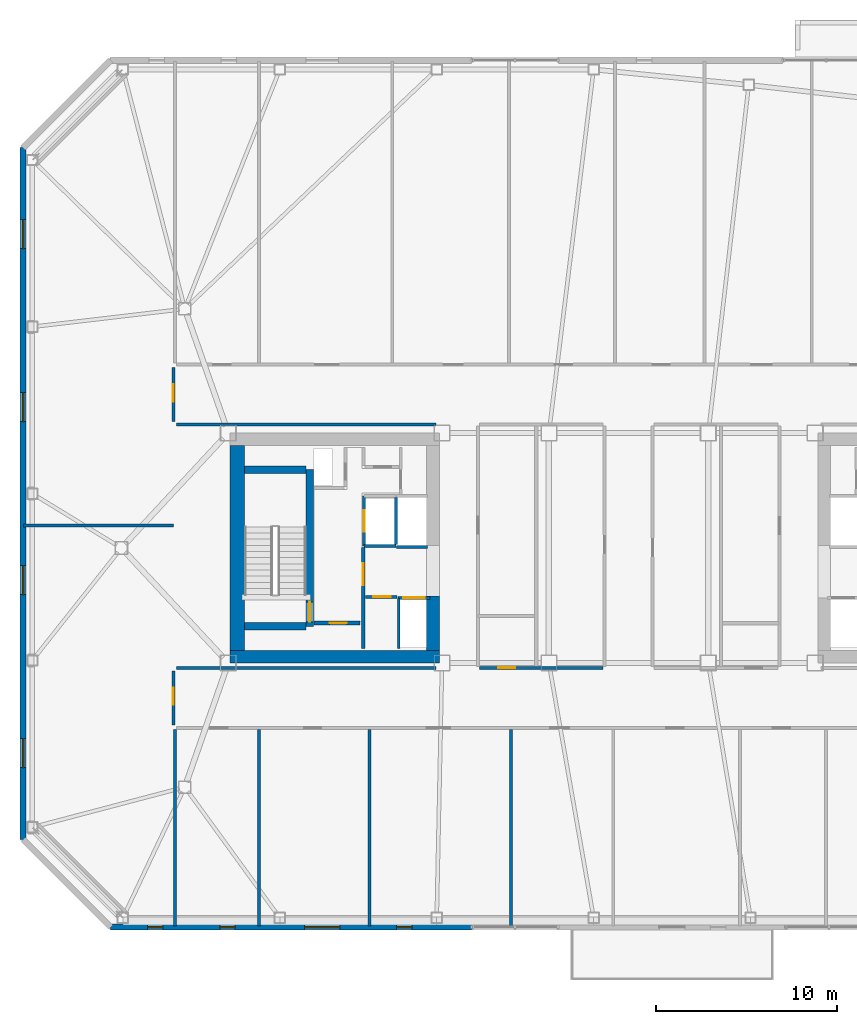
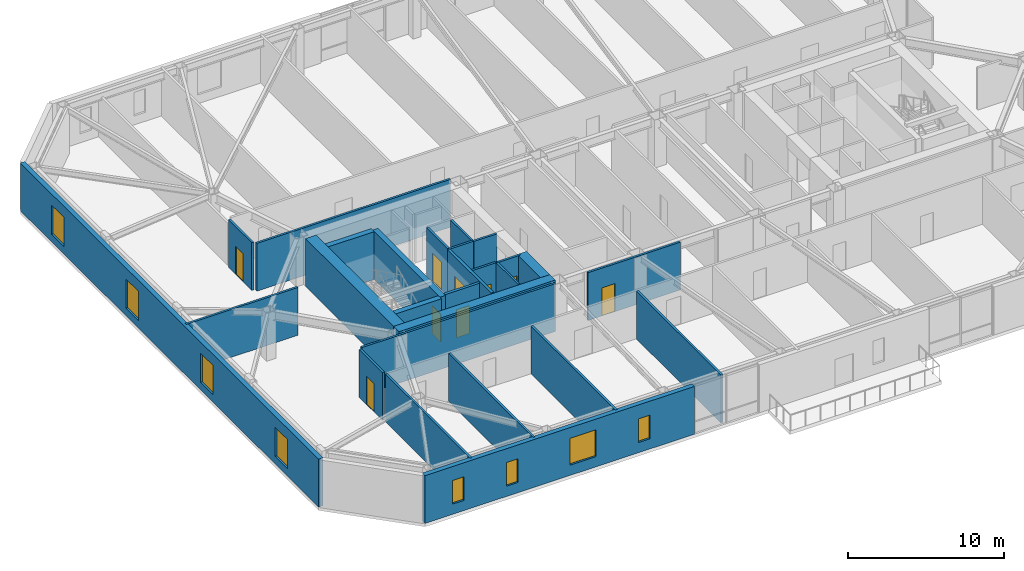
# One storey, part 10 of 19: 27 walls, 9 doors, 8 windows, 17 openings.
"""IFC4 building model written with IfcOpenShell, lengths in metres."""

from ifc_helpers import new_model, si_unit, direction, frame, frame_2d, origin, place, context, subcontext, project, spatial, rectangle, extrude, material, layer, layer_set, type_object, element, fill, save


model = new_model("IFC4")

# Units and contexts
model_context = context("Model", 3, precision=1e-05, world=origin(), true_north=direction((0.0, 1.0)))
body_context = subcontext(model_context, "Body", "Model", "MODEL_VIEW")
ifc_project = project(units=[si_unit("LENGTHUNIT", "METRE"), si_unit("AREAUNIT", "SQUARE_METRE"), si_unit("VOLUMEUNIT", "CUBIC_METRE"), si_unit("PLANEANGLEUNIT", "RADIAN"), si_unit("MASSUNIT", "GRAM", prefix="KILO")], contexts=[model_context])

# Site, building, storey
site_placement = place(None, origin())
site = spatial("IfcSite", under=ifc_project, at=site_placement, CompositionType="ELEMENT")
building_placement = place(site_placement, origin())
building = spatial("IfcBuilding", under=site, at=building_placement, Name="Tavrogorsk Clinical Tower", CompositionType="ELEMENT")
storey_placement = place(building_placement, frame((0.0, 0.0, 188.199951171875)))
storey = spatial("IfcBuildingStorey", under=building, at=storey_placement, Name="L43", CompositionType="ELEMENT", Elevation=188.199951171875)

# Wall, opening, door
ifc_material_1 = material(Name="Concrete B60", Category="concrete")
ifc_layer_1 = layer(ifc_material_1, 0.199951171875)
ifc_layer_set_1 = layer_set([ifc_layer_1], Name="Concrete B60")
wall_type_1 = type_object("IfcWallType", Name="CoreFireWall_200", PredefinedType="SOLIDWALL", material=ifc_layer_set_1)
wall_1_placement = place(storey_placement, frame((-17.3798828125, -4.139892578125, 0.0), z_axis=(0.0, 0.0, 1.0), x_axis=(1.0, 0.0, 0.0)))
wall_1 = element("IfcWall", 1, at=wall_1_placement, inside=storey, type_object=wall_type_1, Name="L43 Core West South Core Room Fire Wall", PredefinedType="SOLIDWALL", context=body_context, shape_type="SweptSolid", body=[
    extrude(rectangle(XDim=2.554931640625, YDim=0.199951171875, at=frame_2d((1.27734375, 0.0))), origin(), (0.0, 0.0, 1.0), 3.739990234375),
])
opening_1_placement = place(wall_1_placement, frame((0.8798828125, 0.0, 0.0)))
opening_1 = element("IfcOpeningElement", 2, at=opening_1_placement, cuts=wall_1, Name="Opening ID-02", PredefinedType="OPENING", context=body_context, shape_type="SweptSolid", body=[
    extrude(rectangle(XDim=0.949951171875, YDim=2.199951171875, at=frame_2d((0.47509765625, 1.10009765625))), frame((0.0, 0.10986328125, 0.0), z_axis=(0.0, -1.0, 0.0), x_axis=(1.0, 0.0, 0.0)), (0.0, 0.0, 1.0), 0.219970703125),
])
ifc_material_2 = material(Name="Laminated timber leaf on aluminium frame", Category="wood")
door_type_1 = type_object("IfcDoorType", Name="InteriorDoor_ID02_950", OperationType="NOTDEFINED", PredefinedType="DOOR", material=ifc_material_2)
door_1_placement = place(opening_1_placement, origin())
door_1 = element("IfcDoor", 3, at=door_1_placement, inside=storey, type_object=door_type_1, Name="L43 Core West South Core Room Door", OperationType="SINGLE_SWING_RIGHT", OverallHeight=2.199951171875, OverallWidth=0.949951171875, PredefinedType="DOOR", context=body_context, shape_type="SweptSolid", body=[
    extrude(rectangle(XDim=0.949951171875, YDim=2.199951171875, at=frame_2d((0.47509765625, 1.10009765625))), frame((0.0, 0.02490234375, 0.0), z_axis=(0.0, -1.0, 0.0), x_axis=(1.0, 0.0, 0.0)), (0.0, 0.0, 1.0), 0.050048828125),
])
fill(opening_1, door_1)

wall_2_placement = place(storey_placement, frame((-14.639892578125, -5.56005859375, 0.0), z_axis=(0.0, 0.0, 1.0), x_axis=(0.0, 1.0, 0.0)))
wall_2 = element("IfcWall", 4, at=wall_2_placement, inside=storey, type_object=wall_type_1, Name="L43 Core West Firefighting Lobby Fire Wall", PredefinedType="SOLIDWALL", context=body_context, shape_type="SweptSolid", body=[
    extrude(rectangle(XDim=5.60009765625, YDim=0.199951171875, at=frame_2d((2.800048828125, 0.0))), origin(), (0.0, 0.0, 1.0), 3.739990234375),
])
opening_2_placement = place(wall_2_placement, frame((3.510009765625, 0.0, 0.0)))
opening_2 = element("IfcOpeningElement", 5, at=opening_2_placement, cuts=wall_2, Name="Opening FD-01", PredefinedType="OPENING", context=body_context, shape_type="SweptSolid", body=[
    extrude(rectangle(XDim=1.199951171875, YDim=2.199951171875, at=frame_2d((0.60009765625, 1.10009765625))), frame((0.0, 0.10986328125, 0.0), z_axis=(0.0, -1.0, 0.0), x_axis=(1.0, 0.0, 0.0)), (0.0, 0.0, 1.0), 0.219970703125),
])
ifc_material_3 = material(Name="Galvanised steel fire-rated door assembly", Category="steel")
door_type_2 = type_object("IfcDoorType", Name="FireDoor_FD01_1200", OperationType="NOTDEFINED", PredefinedType="DOOR", material=ifc_material_3)
door_2_placement = place(opening_2_placement, origin())
door_2 = element("IfcDoor", 6, at=door_2_placement, inside=storey, type_object=door_type_2, Name="L43 Core West Firefighting Lobby Entry Door", OperationType="SINGLE_SWING_RIGHT", OverallHeight=2.199951171875, OverallWidth=1.199951171875, PredefinedType="DOOR", context=body_context, shape_type="SweptSolid", body=[
    extrude(rectangle(XDim=1.199951171875, YDim=2.199951171875, at=frame_2d((0.60009765625, 1.10009765625))), frame((0.0, 0.02490234375, 0.0), z_axis=(0.0, -1.0, 0.0), x_axis=(1.0, 0.0, 0.0)), (0.0, 0.0, 1.0), 0.050048828125),
])
fill(opening_2, door_2)

ifc_material_4 = material(Name="Lightweight concrete blockwork B15", Category="masonry")
ifc_layer_2 = layer(ifc_material_4, 0.159912109375)
ifc_layer_set_2 = layer_set([ifc_layer_2], Name="Lightweight concrete blockwork B15")
wall_type_2 = type_object("IfcWallType", Name="PartitionWall_160", PredefinedType="PARTITIONING", material=ifc_layer_set_2)
wall_3_placement = place(storey_placement, frame((-14.534912109375, -2.699951171875, 0.0), z_axis=(0.0, 0.0, 1.0), x_axis=(1.0, 0.0, 0.0)))
wall_3 = element("IfcWall", 7, at=wall_3_placement, inside=storey, type_object=wall_type_2, Name="L43 Core West Freed Low-Bank North Partition", PredefinedType="PARTITIONING", context=body_context, shape_type="SweptSolid", body=[
    extrude(rectangle(XDim=1.760009765625, YDim=0.159912109375, at=frame_2d((0.8798828125, 0.0))), origin(), (0.0, 0.0, 1.0), 3.739990234375),
])
opening_3_placement = place(wall_3_placement, frame((0.449951171875, 0.0, 0.0)))
opening_3 = element("IfcOpeningElement", 8, at=opening_3_placement, cuts=wall_3, Name="Opening ID-02", PredefinedType="OPENING", context=body_context, shape_type="SweptSolid", body=[
    extrude(rectangle(XDim=0.949951171875, YDim=2.199951171875, at=frame_2d((0.47509765625, 1.10009765625))), frame((0.0, 0.08984375, 0.0), z_axis=(0.0, -1.0, 0.0), x_axis=(1.0, 0.0, 0.0)), (0.0, 0.0, 1.0), 0.179931640625),
])
door_3_placement = place(opening_3_placement, origin())
door_3 = element("IfcDoor", 9, at=door_3_placement, inside=storey, type_object=door_type_1, Name="L43 Core West Biomedical Alcove Door", OperationType="SINGLE_SWING_LEFT", OverallHeight=2.199951171875, OverallWidth=0.949951171875, PredefinedType="DOOR", context=body_context, shape_type="SweptSolid", body=[
    extrude(rectangle(XDim=0.949951171875, YDim=2.199951171875, at=frame_2d((0.47509765625, 1.10009765625))), frame((0.0, 0.02490234375, 0.0), z_axis=(0.0, -1.0, 0.0), x_axis=(1.0, 0.0, 0.0)), (0.0, 0.0, 1.0), 0.050048828125),
])
fill(opening_3, door_3)

wall_4_placement = place(storey_placement, frame((-25.1298828125, -9.764892578125, 0.0), z_axis=(0.0, 0.0, 1.0), x_axis=(0.0, 1.0, 0.0)))
wall_4 = element("IfcWall", 10, at=wall_4_placement, inside=storey, type_object=wall_type_2, Name="L43 Corridor Partition 01", PredefinedType="PARTITIONING", context=body_context, shape_type="SweptSolid", body=[
    extrude(rectangle(XDim=2.97998046875, YDim=0.159912109375, at=frame_2d((1.489990234375, 0.0))), origin(), (0.0, 0.0, 1.0), 3.739990234375),
])
opening_4_placement = place(wall_4_placement, frame((1.10009765625, 0.0, 0.0)))
opening_4 = element("IfcOpeningElement", 11, at=opening_4_placement, cuts=wall_4, Name="Opening ID-02", PredefinedType="OPENING", context=body_context, shape_type="SweptSolid", body=[
    extrude(rectangle(XDim=0.949951171875, YDim=2.199951171875, at=frame_2d((0.47509765625, 1.10009765625))), frame((0.0, 0.08984375, 0.0), z_axis=(0.0, -1.0, 0.0), x_axis=(1.0, 0.0, 0.0)), (0.0, 0.0, 1.0), 0.179931640625),
])
door_4_placement = place(opening_4_placement, origin())
door_4 = element("IfcDoor", 12, at=door_4_placement, inside=storey, type_object=door_type_1, Name="L43 W Solarium Day Room & Lounge 1 Door", OperationType="SINGLE_SWING_RIGHT", OverallHeight=2.199951171875, OverallWidth=0.949951171875, PredefinedType="DOOR", context=body_context, shape_type="SweptSolid", body=[
    extrude(rectangle(XDim=0.949951171875, YDim=2.199951171875, at=frame_2d((0.47509765625, 1.10009765625))), frame((0.0, 0.02490234375, 0.0), z_axis=(0.0, -1.0, 0.0), x_axis=(1.0, 0.0, 0.0)), (0.0, 0.0, 1.0), 0.050048828125),
])
fill(opening_4, door_4)

# Walls
for number, where, z_axis, x_axis, name in (
    (13, (-24.965087890625, -6.6201171875, 0.0), (0.0, 0.0, 1.0), (1.0, 0.0, 0.0), "L43 Corridor Partition 02"),
    (14, (-10.6298828125, 6.820068359375, 0.0), (0.0, 0.0, 1.0), (-1.0, 0.0, 0.0), "L43 Corridor Partition 03"),
):
    element("IfcWall", number, at=place(storey_placement, frame(where, z_axis=z_axis, x_axis=x_axis)), inside=storey, type_object=wall_type_2, Name=name, PredefinedType="PARTITIONING", context=body_context, shape_type="SweptSolid", body=[
        extrude(rectangle(XDim=14.335205078125, YDim=0.159912109375, at=frame_2d((7.16748046875, 0.0))), origin(), (0.0, 0.0, 1.0), 3.739990234375),
    ])

# Wall, opening, door
wall_5_placement = place(storey_placement, frame((-25.1298828125, 6.985107421875, 0.0), z_axis=(0.0, 0.0, 1.0), x_axis=(0.0, 1.0, 0.0)))
wall_5 = element("IfcWall", 15, at=wall_5_placement, inside=storey, type_object=wall_type_2, Name="L43 Corridor Partition 04", PredefinedType="PARTITIONING", context=body_context, shape_type="SweptSolid", body=[
    extrude(rectangle(XDim=2.97998046875, YDim=0.159912109375, at=frame_2d((1.489990234375, 0.0))), origin(), (0.0, 0.0, 1.0), 3.739990234375),
])
opening_5_placement = place(wall_5_placement, frame((1.10009765625, 0.0, 0.0)))
opening_5 = element("IfcOpeningElement", 16, at=opening_5_placement, cuts=wall_5, Name="Opening ID-02", PredefinedType="OPENING", context=body_context, shape_type="SweptSolid", body=[
    extrude(rectangle(XDim=0.949951171875, YDim=2.199951171875, at=frame_2d((0.47509765625, 1.10009765625))), frame((0.0, 0.08984375, 0.0), z_axis=(0.0, -1.0, 0.0), x_axis=(1.0, 0.0, 0.0)), (0.0, 0.0, 1.0), 0.179931640625),
])
door_5_placement = place(opening_5_placement, origin())
door_5 = element("IfcDoor", 17, at=door_5_placement, inside=storey, type_object=door_type_1, Name="L43 W Rehabilitation Therapy Suite 2 Door", OperationType="SINGLE_SWING_LEFT", OverallHeight=2.199951171875, OverallWidth=0.949951171875, PredefinedType="DOOR", context=body_context, shape_type="SweptSolid", body=[
    extrude(rectangle(XDim=0.949951171875, YDim=2.199951171875, at=frame_2d((0.47509765625, 1.10009765625))), frame((0.0, 0.02490234375, 0.0), z_axis=(0.0, -1.0, 0.0), x_axis=(1.0, 0.0, 0.0)), (0.0, 0.0, 1.0), 0.050048828125),
])
fill(opening_5, door_5)

wall_6_placement = place(storey_placement, frame((-8.235107421875, -6.6201171875, 0.0), z_axis=(0.0, 0.0, 1.0), x_axis=(1.0, 0.0, 0.0)))
wall_6 = element("IfcWall", 18, at=wall_6_placement, inside=storey, type_object=wall_type_2, Name="L43 Corridor Partition 18", PredefinedType="PARTITIONING", context=body_context, shape_type="SweptSolid", body=[
    extrude(rectangle(XDim=6.820068359375, YDim=0.159912109375, at=frame_2d((3.41015625, 0.0))), origin(), (0.0, 0.0, 1.0), 3.739990234375),
])
opening_6_placement = place(wall_6_placement, frame((1.029052734375, 0.0, 0.0)))
opening_6 = element("IfcOpeningElement", 19, at=opening_6_placement, cuts=wall_6, Name="Opening ID-02", PredefinedType="OPENING", context=body_context, shape_type="SweptSolid", body=[
    extrude(rectangle(XDim=0.949951171875, YDim=2.199951171875, at=frame_2d((0.47509765625, 1.10009765625))), frame((0.0, 0.08984375, 0.0), z_axis=(0.0, -1.0, 0.0), x_axis=(1.0, 0.0, 0.0)), (0.0, 0.0, 1.0), 0.179931640625),
])
door_6_placement = place(opening_6_placement, origin())
door_6 = element("IfcDoor", 20, at=door_6_placement, inside=storey, type_object=door_type_1, Name="L43 Accessible Patient Lavatory Door", OperationType="SINGLE_SWING_RIGHT", OverallHeight=2.199951171875, OverallWidth=0.949951171875, PredefinedType="DOOR", context=body_context, shape_type="SweptSolid", body=[
    extrude(rectangle(XDim=0.949951171875, YDim=2.199951171875, at=frame_2d((0.47509765625, 1.10009765625))), frame((0.0, 0.02490234375, 0.0), z_axis=(0.0, -1.0, 0.0), x_axis=(1.0, 0.0, 0.0)), (0.0, 0.0, 1.0), 0.050048828125),
])
fill(opening_6, door_6)

# Walls
for number, where, z_axis, x_axis, name in (
    (21, (-25.050048828125, -20.860107421875, 0.0), (0.0, 0.0, 1.0), (0.0, 1.0, 0.0), "L43 SW Wing Closure Partition"),
    (22, (-20.39990234375, -20.860107421875, 0.0), (0.0, 0.0, 1.0), (0.0, 1.0, 0.0), "L43 South Room Partition 1"),
    (23, (-14.300048828125, -20.860107421875, 0.0), (0.0, 0.0, 1.0), (0.0, 1.0, 0.0), "L43 South Room Partition 2"),
    (24, (-6.5, -20.860107421875, 0.0), (0.0, 0.0, 1.0), (0.0, 1.0, 0.0), "L43 South Room Partition 3"),
):
    element("IfcWall", number, at=place(storey_placement, frame(where, z_axis=z_axis, x_axis=x_axis)), inside=storey, type_object=wall_type_2, Name=name, PredefinedType="PARTITIONING", context=body_context, shape_type="SweptSolid", body=[
        extrude(rectangle(XDim=10.84521484375, YDim=0.159912109375, at=frame_2d((5.422607421875, 0.0))), origin(), (0.0, 0.0, 1.0), 3.739990234375),
    ])
wall_7_placement = place(storey_placement, frame((-33.409912109375, 1.25, 0.0), z_axis=(0.0, 0.0, 1.0), x_axis=(1.0, 0.0, 0.0)))
element("IfcWall", 25, at=wall_7_placement, inside=storey, type_object=wall_type_2, Name="L43 W Wing Divider 1", PredefinedType="PARTITIONING", context=body_context, shape_type="SweptSolid", body=[
    extrude(rectangle(XDim=8.280029296875, YDim=0.159912109375, at=frame_2d((4.14013671875, 0.0))), origin(), (0.0, 0.0, 1.0), 3.739990234375),
])

# Wall, openings, windows
ifc_material_5 = material(Name="Precast concrete B45 with limestone cladding", Category="masonry")
ifc_layer_3 = layer(ifc_material_5, 0.340087890625)
ifc_layer_set_3 = layer_set([ifc_layer_3], Name="Precast concrete B45 with limestone cladding")
wall_type_3 = type_object("IfcWallType", Name="PrecastLimestoneWall_340", PredefinedType="STANDARD", material=ifc_layer_set_3)
wall_8_placement = place(storey_placement, frame((-28.60009765625, -20.929931640625, 0.0), z_axis=(0.0, 0.0, 1.0), x_axis=(1.0, 0.0, 0.0)))
wall_8 = element("IfcWall", 26, at=wall_8_placement, inside=storey, type_object=wall_type_3, Name="L43 S Limestone Facade Wall 1", PredefinedType="STANDARD", context=body_context, shape_type="SweptSolid", body=[
    extrude(rectangle(XDim=19.937255859375, YDim=0.340087890625, at=frame_2d((9.96875, 0.0))), origin(), (0.0, 0.0, 1.0), 3.739990234375),
])
opening_7_placement = place(wall_8_placement, frame((2.0439453125, 0.0, 0.800048828125)))
opening_7 = element("IfcOpeningElement", 27, at=opening_7_placement, cuts=wall_8, Name="Opening WN-06", PredefinedType="OPENING", context=body_context, shape_type="SweptSolid", body=[
    extrude(rectangle(XDim=0.85009765625, YDim=1.85009765625, at=frame_2d((0.425048828125, 0.925048828125))), frame((0.0, 0.179931640625, 0.0), z_axis=(0.0, -1.0, 0.0), x_axis=(1.0, 0.0, 0.0)), (0.0, 0.0, 1.0), 0.360107421875),
])
opening_8_placement = place(wall_8_placement, frame((6.02880859375, 0.0, 0.800048828125)))
opening_8 = element("IfcOpeningElement", 28, at=opening_8_placement, cuts=wall_8, Name="Opening WN-06", PredefinedType="OPENING", context=body_context, shape_type="SweptSolid", body=[
    extrude(rectangle(XDim=0.85009765625, YDim=1.85009765625, at=frame_2d((0.425048828125, 0.925048828125))), frame((0.0, 0.179931640625, 0.0), z_axis=(0.0, -1.0, 0.0), x_axis=(1.0, 0.0, 0.0)), (0.0, 0.0, 1.0), 0.360107421875),
])
opening_9_placement = place(wall_8_placement, frame((10.706787109375, 0.0, 0.800048828125)))
opening_9 = element("IfcOpeningElement", 29, at=opening_9_placement, cuts=wall_8, Name="Opening WN-13", PredefinedType="OPENING", context=body_context, shape_type="SweptSolid", body=[
    extrude(rectangle(XDim=1.949951171875, YDim=2.10009765625, at=frame_2d((0.97509765625, 1.050048828125))), frame((0.0, 0.179931640625, 0.0), z_axis=(0.0, -1.0, 0.0), x_axis=(1.0, 0.0, 0.0)), (0.0, 0.0, 1.0), 0.360107421875),
])
opening_10_placement = place(wall_8_placement, frame((15.791748046875, 0.0, 0.800048828125)))
opening_10 = element("IfcOpeningElement", 30, at=opening_10_placement, cuts=wall_8, Name="Opening WN-06", PredefinedType="OPENING", context=body_context, shape_type="SweptSolid", body=[
    extrude(rectangle(XDim=0.85009765625, YDim=1.85009765625, at=frame_2d((0.425048828125, 0.925048828125))), frame((0.0, 0.179931640625, 0.0), z_axis=(0.0, -1.0, 0.0), x_axis=(1.0, 0.0, 0.0)), (0.0, 0.0, 1.0), 0.360107421875),
])
ifc_material_6 = material(Name="Thermally broken aluminium frame and triple IGU", Category="aluminium")
window_type_1 = type_object("IfcWindowType", Name="ExamRoomWin_1950x2100", PartitioningType="DOUBLE_PANEL_VERTICAL", PredefinedType="WINDOW", material=ifc_material_6)
window_1_placement = place(opening_9_placement, origin())
window_1 = element("IfcWindow", 31, at=window_1_placement, inside=storey, type_object=window_type_1, Name="L43 S Chicago Window 03", OverallHeight=2.10009765625, OverallWidth=1.949951171875, PartitioningType="SINGLE_PANEL", PredefinedType="WINDOW", context=body_context, shape_type="SweptSolid", body=[
    extrude(rectangle(XDim=1.949951171875, YDim=2.10009765625, at=frame_2d((0.97509765625, 1.050048828125))), frame((0.0, 0.030029296875, 0.0), z_axis=(0.0, -1.0, 0.0), x_axis=(1.0, 0.0, 0.0)), (0.0, 0.0, 1.0), 0.06005859375),
])
fill(opening_9, window_1)
ifc_material_7 = material(Name="Thermally broken aluminium frame and triple IGU", Category="aluminium")
window_type_2 = type_object("IfcWindowType", Name="MullionSubWin_850x1850", PartitioningType="SINGLE_PANEL", PredefinedType="WINDOW", material=ifc_material_7)
window_2_placement = place(opening_7_placement, origin())
window_2 = element("IfcWindow", 32, at=window_2_placement, inside=storey, type_object=window_type_2, Name="L43 S Mullion Split Window 01A", OverallHeight=1.85009765625, OverallWidth=0.85009765625, PartitioningType="SINGLE_PANEL", PredefinedType="WINDOW", context=body_context, shape_type="SweptSolid", body=[
    extrude(rectangle(XDim=0.85009765625, YDim=1.85009765625, at=frame_2d((0.425048828125, 0.925048828125))), frame((0.0, 0.030029296875, 0.0), z_axis=(0.0, -1.0, 0.0), x_axis=(1.0, 0.0, 0.0)), (0.0, 0.0, 1.0), 0.06005859375),
])
fill(opening_7, window_2)
window_3_placement = place(opening_8_placement, origin())
window_3 = element("IfcWindow", 33, at=window_3_placement, inside=storey, type_object=window_type_2, Name="L43 S Mullion Split Window 02A", OverallHeight=1.85009765625, OverallWidth=0.85009765625, PartitioningType="SINGLE_PANEL", PredefinedType="WINDOW", context=body_context, shape_type="SweptSolid", body=[
    extrude(rectangle(XDim=0.85009765625, YDim=1.85009765625, at=frame_2d((0.425048828125, 0.925048828125))), frame((0.0, 0.030029296875, 0.0), z_axis=(0.0, -1.0, 0.0), x_axis=(1.0, 0.0, 0.0)), (0.0, 0.0, 1.0), 0.06005859375),
])
fill(opening_8, window_3)
window_4_placement = place(opening_10_placement, origin())
window_4 = element("IfcWindow", 34, at=window_4_placement, inside=storey, type_object=window_type_2, Name="L43 S Mullion Split Window 04B", OverallHeight=1.85009765625, OverallWidth=0.85009765625, PartitioningType="SINGLE_PANEL", PredefinedType="WINDOW", context=body_context, shape_type="SweptSolid", body=[
    extrude(rectangle(XDim=0.85009765625, YDim=1.85009765625, at=frame_2d((0.425048828125, 0.925048828125))), frame((0.0, 0.030029296875, 0.0), z_axis=(0.0, -1.0, 0.0), x_axis=(1.0, 0.0, 0.0)), (0.0, 0.0, 1.0), 0.06005859375),
])
fill(opening_10, window_4)

wall_9_placement = place(storey_placement, frame((-33.429931640625, 22.10009765625, 0.0), z_axis=(0.0, 0.0, 1.0), x_axis=(0.0, -1.0, 0.0)))
wall_9 = element("IfcWall", 35, at=wall_9_placement, inside=storey, type_object=wall_type_3, Name="L43 W Pleated Limestone Wing Wall", PredefinedType="STANDARD", context=body_context, shape_type="SweptSolid", body=[
    extrude(rectangle(XDim=38.2001953125, YDim=0.340087890625, at=frame_2d((19.10009765625, 0.0))), origin(), (0.0, 0.0, 1.0), 3.739990234375),
])
opening_11_placement = place(wall_9_placement, frame((3.97509765625, 0.0, 0.580078125)))
opening_11 = element("IfcOpeningElement", 36, at=opening_11_placement, cuts=wall_9, Name="Opening WN-07", PredefinedType="OPENING", context=body_context, shape_type="SweptSolid", body=[
    extrude(rectangle(XDim=1.60009765625, YDim=2.300048828125, at=frame_2d((0.800048828125, 1.14990234375))), frame((0.0, 0.179931640625, 0.0), z_axis=(0.0, -1.0, 0.0), x_axis=(1.0, 0.0, 0.0)), (0.0, 0.0, 1.0), 0.360107421875),
])
opening_12_placement = place(wall_9_placement, frame((13.52490234375, 0.0, 0.580078125)))
opening_12 = element("IfcOpeningElement", 37, at=opening_12_placement, cuts=wall_9, Name="Opening WN-07", PredefinedType="OPENING", context=body_context, shape_type="SweptSolid", body=[
    extrude(rectangle(XDim=1.60009765625, YDim=2.300048828125, at=frame_2d((0.800048828125, 1.14990234375))), frame((0.0, 0.179931640625, 0.0), z_axis=(0.0, -1.0, 0.0), x_axis=(1.0, 0.0, 0.0)), (0.0, 0.0, 1.0), 0.360107421875),
])
opening_13_placement = place(wall_9_placement, frame((23.074951171875, 0.0, 0.580078125)))
opening_13 = element("IfcOpeningElement", 38, at=opening_13_placement, cuts=wall_9, Name="Opening WN-07", PredefinedType="OPENING", context=body_context, shape_type="SweptSolid", body=[
    extrude(rectangle(XDim=1.60009765625, YDim=2.300048828125, at=frame_2d((0.800048828125, 1.14990234375))), frame((0.0, 0.179931640625, 0.0), z_axis=(0.0, -1.0, 0.0), x_axis=(1.0, 0.0, 0.0)), (0.0, 0.0, 1.0), 0.360107421875),
])
opening_14_placement = place(wall_9_placement, frame((32.625, 0.0, 0.580078125)))
opening_14 = element("IfcOpeningElement", 39, at=opening_14_placement, cuts=wall_9, Name="Opening WN-07", PredefinedType="OPENING", context=body_context, shape_type="SweptSolid", body=[
    extrude(rectangle(XDim=1.60009765625, YDim=2.300048828125, at=frame_2d((0.800048828125, 1.14990234375))), frame((0.0, 0.179931640625, 0.0), z_axis=(0.0, -1.0, 0.0), x_axis=(1.0, 0.0, 0.0)), (0.0, 0.0, 1.0), 0.360107421875),
])
ifc_material_8 = material(Name="Thermally broken aluminium frame and triple IGU", Category="aluminium")
window_type_3 = type_object("IfcWindowType", Name="PleatSlotWin_1600x2300", PartitioningType="SINGLE_PANEL", PredefinedType="WINDOW", material=ifc_material_8)
window_5_placement = place(opening_11_placement, origin())
window_5 = element("IfcWindow", 40, at=window_5_placement, inside=storey, type_object=window_type_3, Name="L43 W Pleat Slot Window 1", OverallHeight=2.300048828125, OverallWidth=1.60009765625, PartitioningType="SINGLE_PANEL", PredefinedType="WINDOW", context=body_context, shape_type="SweptSolid", body=[
    extrude(rectangle(XDim=1.60009765625, YDim=2.300048828125, at=frame_2d((0.800048828125, 1.14990234375))), frame((0.0, 0.030029296875, 0.0), z_axis=(0.0, -1.0, 0.0), x_axis=(1.0, 0.0, 0.0)), (0.0, 0.0, 1.0), 0.06005859375),
])
fill(opening_11, window_5)
window_6_placement = place(opening_12_placement, origin())
window_6 = element("IfcWindow", 41, at=window_6_placement, inside=storey, type_object=window_type_3, Name="L43 W Pleat Slot Window 2", OverallHeight=2.300048828125, OverallWidth=1.60009765625, PartitioningType="SINGLE_PANEL", PredefinedType="WINDOW", context=body_context, shape_type="SweptSolid", body=[
    extrude(rectangle(XDim=1.60009765625, YDim=2.300048828125, at=frame_2d((0.800048828125, 1.14990234375))), frame((0.0, 0.030029296875, 0.0), z_axis=(0.0, -1.0, 0.0), x_axis=(1.0, 0.0, 0.0)), (0.0, 0.0, 1.0), 0.06005859375),
])
fill(opening_12, window_6)
window_7_placement = place(opening_13_placement, origin())
window_7 = element("IfcWindow", 42, at=window_7_placement, inside=storey, type_object=window_type_3, Name="L43 W Pleat Slot Window 3", OverallHeight=2.300048828125, OverallWidth=1.60009765625, PartitioningType="SINGLE_PANEL", PredefinedType="WINDOW", context=body_context, shape_type="SweptSolid", body=[
    extrude(rectangle(XDim=1.60009765625, YDim=2.300048828125, at=frame_2d((0.800048828125, 1.14990234375))), frame((0.0, 0.030029296875, 0.0), z_axis=(0.0, -1.0, 0.0), x_axis=(1.0, 0.0, 0.0)), (0.0, 0.0, 1.0), 0.06005859375),
])
fill(opening_13, window_7)
window_8_placement = place(opening_14_placement, origin())
window_8 = element("IfcWindow", 43, at=window_8_placement, inside=storey, type_object=window_type_3, Name="L43 W Pleat Slot Window 4", OverallHeight=2.300048828125, OverallWidth=1.60009765625, PartitioningType="SINGLE_PANEL", PredefinedType="WINDOW", context=body_context, shape_type="SweptSolid", body=[
    extrude(rectangle(XDim=1.60009765625, YDim=2.300048828125, at=frame_2d((0.800048828125, 1.14990234375))), frame((0.0, 0.030029296875, 0.0), z_axis=(0.0, -1.0, 0.0), x_axis=(1.0, 0.0, 0.0)), (0.0, 0.0, 1.0), 0.06005859375),
])
fill(opening_14, window_8)

# Wall, opening, door
ifc_material_9 = material(Name="Lightweight concrete blockwork B25", Category="masonry")
ifc_layer_4 = layer(ifc_material_9, 0.159912109375)
ifc_layer_set_4 = layer_set([ifc_layer_4], Name="Lightweight concrete blockwork B25")
wall_type_4 = type_object("IfcWallType", Name="ShaftWall_160", PredefinedType="PARTITIONING", material=ifc_layer_set_4)
wall_10_placement = place(storey_placement, frame((-14.60009765625, 0.1201171875, 0.0), z_axis=(0.0, 0.0, 1.0), x_axis=(0.0, 1.0, 0.0)))
wall_10 = element("IfcWall", 44, at=wall_10_placement, inside=storey, type_object=wall_type_4, Name="L43 FFL-W Firefighting Lift Front Wall", PredefinedType="PARTITIONING", context=body_context, shape_type="SweptSolid", body=[
    extrude(rectangle(XDim=2.739990234375, YDim=0.159912109375, at=frame_2d((1.3701171875, 0.0))), origin(), (0.0, 0.0, 1.0), 3.739990234375),
])
opening_15_placement = place(wall_10_placement, frame((0.77001953125, 0.0, 0.0)))
opening_15 = element("IfcOpeningElement", 45, at=opening_15_placement, cuts=wall_10, Name="Opening LD", PredefinedType="OPENING", context=body_context, shape_type="SweptSolid", body=[
    extrude(rectangle(XDim=1.199951171875, YDim=2.199951171875, at=frame_2d((0.60009765625, 1.10009765625))), frame((0.0, 0.08984375, 0.0), z_axis=(0.0, -1.0, 0.0), x_axis=(1.0, 0.0, 0.0)), (0.0, 0.0, 1.0), 0.179931640625),
])
ifc_material_10 = material(Name="Brushed stainless steel AISI 304 sliding doors", Category="steel")
door_type_3 = type_object("IfcDoorType", Name="LiftLandingDoor_LD_1200", OperationType="SLIDING_TO_LEFT", PredefinedType="DOOR", material=ifc_material_10)
door_7_placement = place(opening_15_placement, origin())
door_7 = element("IfcDoor", 46, at=door_7_placement, inside=storey, type_object=door_type_3, Name="L43 FFL-W Sliding Lift Landing Door", OperationType="SLIDING_TO_LEFT", OverallHeight=2.199951171875, OverallWidth=1.199951171875, PredefinedType="DOOR", context=body_context, shape_type="SweptSolid", body=[
    extrude(rectangle(XDim=1.199951171875, YDim=2.199951171875, at=frame_2d((0.60009765625, 1.10009765625))), frame((0.0, 0.02490234375, 0.0), z_axis=(0.0, -1.0, 0.0), x_axis=(1.0, 0.0, 0.0)), (0.0, 0.0, 1.0), 0.050048828125),
])
fill(opening_15, door_7)

# Walls
wall_11_placement = place(storey_placement, frame((-14.60009765625, 0.10009765625, 0.0), z_axis=(0.0, 0.0, 1.0), x_axis=(1.0, 0.0, 0.0)))
element("IfcWall", 47, at=wall_11_placement, inside=storey, type_object=wall_type_4, Name="L43 FFL-W Shaft South Wall", PredefinedType="PARTITIONING", context=body_context, shape_type="SweptSolid", body=[
    extrude(rectangle(XDim=1.760009765625, YDim=0.159912109375, at=frame_2d((0.8798828125, 0.0))), origin(), (0.0, 0.0, 1.0), 3.739990234375),
])
wall_12_placement = place(storey_placement, frame((-12.840087890625, 0.179931640625, 0.0), z_axis=(0.0, 0.0, 1.0), x_axis=(0.0, 1.0, 0.0)))
element("IfcWall", 48, at=wall_12_placement, inside=storey, type_object=wall_type_4, Name="L43 FFL-W Shaft Back Wall", PredefinedType="PARTITIONING", context=body_context, shape_type="SweptSolid", body=[
    extrude(rectangle(XDim=2.6201171875, YDim=0.159912109375, at=frame_2d((1.31005859375, 0.0))), origin(), (0.0, 0.0, 1.0), 3.739990234375),
])

# Wall, opening, door
wall_13_placement = place(storey_placement, frame((-12.72998046875, -2.75, 0.0), z_axis=(0.0, 0.0, 1.0), x_axis=(1.0, 0.0, 0.0)))
wall_13 = element("IfcWall", 49, at=wall_13_placement, inside=storey, type_object=wall_type_4, Name="L43 LP-M1 Lift Shaft Portal Wall", PredefinedType="PARTITIONING", context=body_context, shape_type="SweptSolid", body=[
    extrude(rectangle(XDim=1.760009765625, YDim=0.159912109375, at=frame_2d((0.8798828125, 0.0))), origin(), (0.0, 0.0, 1.0), 3.739990234375),
])
opening_16_placement = place(wall_13_placement, frame((0.280029296875, 0.0, 0.0)))
opening_16 = element("IfcOpeningElement", 50, at=opening_16_placement, cuts=wall_13, Name="Opening LD", PredefinedType="OPENING", context=body_context, shape_type="SweptSolid", body=[
    extrude(rectangle(XDim=1.199951171875, YDim=2.199951171875, at=frame_2d((0.60009765625, 1.10009765625))), frame((0.0, 0.08984375, 0.0), z_axis=(0.0, -1.0, 0.0), x_axis=(1.0, 0.0, 0.0)), (0.0, 0.0, 1.0), 0.179931640625),
])
door_8_placement = place(opening_16_placement, origin())
door_8 = element("IfcDoor", 51, at=door_8_placement, inside=storey, type_object=door_type_3, Name="L43 LP-M1 Sliding Lift Landing Door", OperationType="SLIDING_TO_LEFT", OverallHeight=2.199951171875, OverallWidth=1.199951171875, PredefinedType="DOOR", context=body_context, shape_type="SweptSolid", body=[
    extrude(rectangle(XDim=1.199951171875, YDim=2.199951171875, at=frame_2d((0.60009765625, 1.10009765625))), frame((0.0, 0.02490234375, 0.0), z_axis=(0.0, -1.0, 0.0), x_axis=(1.0, 0.0, 0.0)), (0.0, 0.0, 1.0), 0.050048828125),
])
fill(opening_16, door_8)

# Walls
wall_14_placement = place(storey_placement, frame((-12.820068359375, 0.06005859375, 0.0), z_axis=(0.0, 0.0, 1.0), x_axis=(1.0, 0.0, 0.0)))
element("IfcWall", 52, at=wall_14_placement, inside=storey, type_object=wall_type_4, Name="L43 LP-H1 High-Zone Lift Portal Wall", PredefinedType="PARTITIONING", context=body_context, shape_type="SweptSolid", body=[
    extrude(rectangle(XDim=1.719970703125, YDim=0.159912109375, at=frame_2d((0.85986328125, 0.0))), origin(), (0.0, 0.0, 1.0), 3.739990234375),
])
wall_15_placement = place(storey_placement, frame((-12.68994140625, -5.56005859375, 0.0), z_axis=(0.0, 0.0, 1.0), x_axis=(0.0, 1.0, 0.0)))
element("IfcWall", 53, at=wall_15_placement, inside=storey, type_object=wall_type_4, Name="L43 Core West Freed Low-Bank Shaft Divider", PredefinedType="PARTITIONING", context=body_context, shape_type="SweptSolid", body=[
    extrude(rectangle(XDim=2.775146484375, YDim=0.159912109375, at=frame_2d((1.3876953125, 0.0))), origin(), (0.0, 0.0, 1.0), 3.739990234375),
])

# Wall, opening, door
ifc_material_11 = material(Name="Concrete B80", Category="concrete")
ifc_layer_5 = layer(ifc_material_11, 0.39990234375)
ifc_layer_set_5 = layer_set([ifc_layer_5], Name="Concrete B80")
wall_type_5 = type_object("IfcWallType", Name="ShearWall_400", PredefinedType="SHEAR", material=ifc_layer_set_5)
wall_16_placement = place(storey_placement, frame((-17.60009765625, -4.324951171875, 0.0), z_axis=(0.0, 0.0, 1.0), x_axis=(0.0, 1.0, 0.0)))
wall_16 = element("IfcWall", 54, at=wall_16_placement, inside=storey, type_object=wall_type_5, Name="L43 Core West Stair Shaft Inner Shear Wall", PredefinedType="SHEAR", context=body_context, shape_type="SweptSolid", body=[
    extrude(rectangle(XDim=8.64990234375, YDim=0.39990234375, at=frame_2d((4.324951171875, 0.0))), origin(), (0.0, 0.0, 1.0), 3.739990234375),
])
opening_17_placement = place(wall_16_placement, frame((0.25, 0.0, 0.0)))
opening_17 = element("IfcOpeningElement", 55, at=opening_17_placement, cuts=wall_16, Name="Opening SD-01", PredefinedType="OPENING", context=body_context, shape_type="SweptSolid", body=[
    extrude(rectangle(XDim=1.10009765625, YDim=2.199951171875, at=frame_2d((0.550048828125, 1.10009765625))), frame((0.0, 0.2099609375, 0.0), z_axis=(0.0, -1.0, 0.0), x_axis=(1.0, 0.0, 0.0)), (0.0, 0.0, 1.0), 0.419921875),
])
ifc_material_12 = material(Name="Galvanised steel smoke-tight fire door assembly", Category="steel")
door_type_4 = type_object("IfcDoorType", Name="StairFireDoor_SD01_1100", OperationType="NOTDEFINED", PredefinedType="DOOR", material=ifc_material_12)
door_9_placement = place(opening_17_placement, origin())
door_9 = element("IfcDoor", 56, at=door_9_placement, inside=storey, type_object=door_type_4, Name="L43 ST-W Exit Stair Door", OperationType="SINGLE_SWING_RIGHT", OverallHeight=2.199951171875, OverallWidth=1.10009765625, PredefinedType="DOOR", context=body_context, shape_type="SweptSolid", body=[
    extrude(rectangle(XDim=1.10009765625, YDim=2.199951171875, at=frame_2d((0.550048828125, 1.10009765625))), frame((0.0, 0.02490234375, 0.0), z_axis=(0.0, -1.0, 0.0), x_axis=(1.0, 0.0, 0.0)), (0.0, 0.0, 1.0), 0.050048828125),
])
fill(opening_17, door_9)

# Walls
for number, where, z_axis, x_axis, name in (
    (57, (-21.199951171875, -4.324951171875, 0.0), (0.0, 0.0, 1.0), (1.0, 0.0, 0.0), "L43 Core West Stair Shaft South Shear Wall"),
    (58, (-21.199951171875, 4.324951171875, 0.0), (0.0, 0.0, 1.0), (1.0, 0.0, 0.0), "L43 Core West Stair Shaft North Shear Wall"),
):
    element("IfcWall", number, at=place(storey_placement, frame(where, z_axis=z_axis, x_axis=x_axis)), inside=storey, type_object=wall_type_5, Name=name, PredefinedType="SHEAR", context=body_context, shape_type="SweptSolid", body=[
        extrude(rectangle(XDim=3.39990234375, YDim=0.39990234375, at=frame_2d((1.699951171875, 0.0))), origin(), (0.0, 0.0, 1.0), 3.739990234375),
    ])
ifc_material_13 = material(Name="Concrete B80", Category="concrete")
ifc_layer_6 = layer(ifc_material_13, 0.699951171875)
ifc_layer_set_6 = layer_set([ifc_layer_6], Name="Concrete B80")
wall_type_6 = type_object("IfcWallType", Name="ShearWall_700", PredefinedType="SHEAR", material=ifc_layer_set_6)
wall_17_placement = place(storey_placement, frame((-22.0, -6.0, 0.0), z_axis=(0.0, 0.0, 1.0), x_axis=(1.0, 0.0, 0.0)))
element("IfcWall", 59, at=wall_17_placement, inside=storey, type_object=wall_type_6, Name="L43 Core West South Shear Wall", PredefinedType="SHEAR", context=body_context, shape_type="SweptSolid", body=[
    extrude(rectangle(XDim=11.550048828125, YDim=0.699951171875, at=frame_2d((5.77490234375, 0.0))), origin(), (0.0, 0.0, 1.0), 3.739990234375),
])
wall_18_placement = place(storey_placement, frame((-10.800048828125, -5.64990234375, 0.0), z_axis=(0.0, 0.0, 1.0), x_axis=(0.0, 1.0, 0.0)))
element("IfcWall", 60, at=wall_18_placement, inside=storey, type_object=wall_type_6, Name="L43 Core West Inner South Pier", PredefinedType="SHEAR", context=body_context, shape_type="SweptSolid", body=[
    extrude(rectangle(XDim=3.0, YDim=0.699951171875, at=frame_2d((1.5, 0.0))), origin(), (0.0, 0.0, 1.0), 3.739990234375),
])
ifc_material_14 = material(Name="Concrete B80", Category="concrete")
ifc_layer_7 = layer(ifc_material_14, 0.800048828125)
ifc_layer_set_7 = layer_set([ifc_layer_7], Name="Concrete B80")
wall_type_7 = type_object("IfcWallType", Name="ShearWall_800", PredefinedType="SHEAR", material=ifc_layer_set_7)
wall_19_placement = place(storey_placement, frame((-21.60009765625, -5.64990234375, 0.0), z_axis=(0.0, 0.0, 1.0), x_axis=(0.0, 1.0, 0.0)))
element("IfcWall", 61, at=wall_19_placement, inside=storey, type_object=wall_type_7, Name="L43 Core West End Shear Wall", PredefinedType="SHEAR", context=body_context, shape_type="SweptSolid", body=[
    extrude(rectangle(XDim=11.2998046875, YDim=0.800048828125, at=frame_2d((5.64990234375, 0.0))), origin(), (0.0, 0.0, 1.0), 3.739990234375),
])

save(model, "model.ifc")
